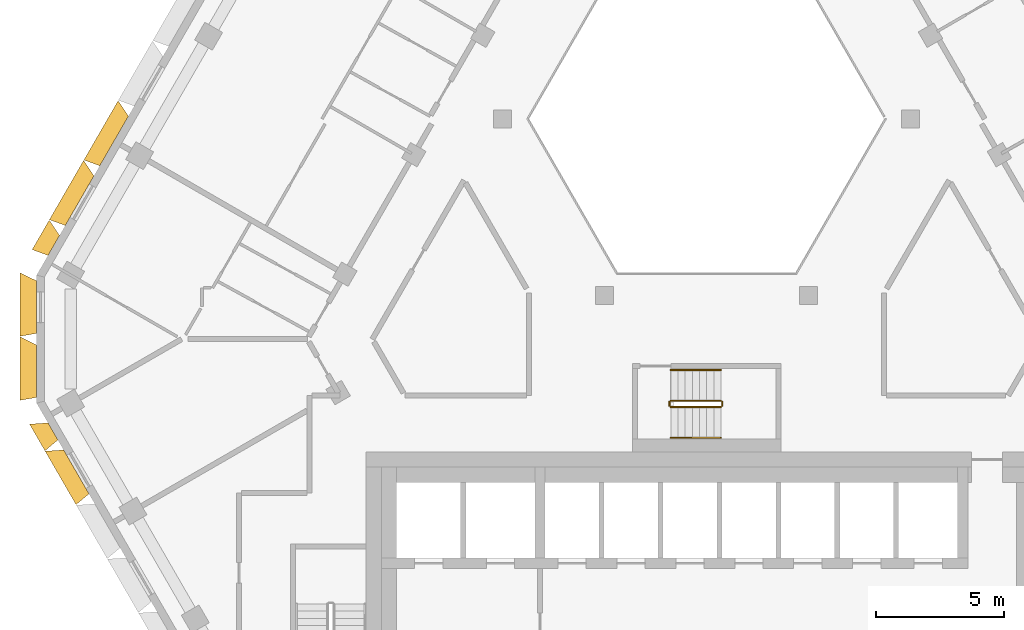
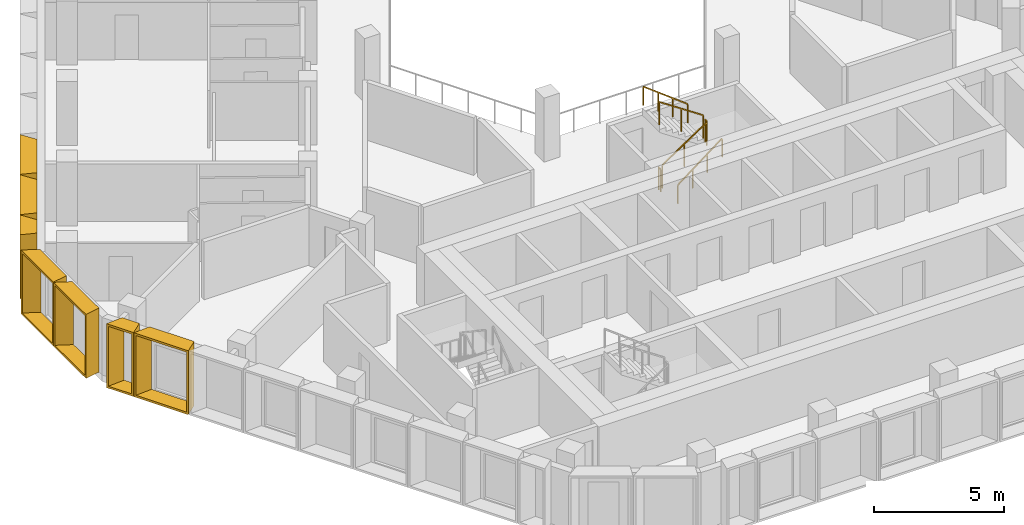
# One storey, part 11 of 14: 7 shading devices, 6 railings.
"""IFC4 building model written with IfcOpenShell, lengths in metres."""

from ifc_helpers import new_model, entity, si_unit, direction, frame, origin, origin_2d, place, context, subcontext, project, spatial, rectangle, extrude, source, transform, mapped, material, type_object, type_shapes, element, save


model = new_model("IFC4")

# Units and contexts
model_context = context("Model", 3, precision=1e-05, world=origin(), true_north=direction((0.0, 1.0)))
body_context = subcontext(model_context, "Body", "Model", "MODEL_VIEW")
ifc_project = project(units=[si_unit("LENGTHUNIT", "METRE"), si_unit("AREAUNIT", "SQUARE_METRE"), si_unit("VOLUMEUNIT", "CUBIC_METRE"), si_unit("PLANEANGLEUNIT", "RADIAN"), si_unit("MASSUNIT", "GRAM", prefix="KILO")], contexts=[model_context])

# Site, building, storey
site_placement = place(None, origin())
site = spatial("IfcSite", under=ifc_project, at=site_placement, CompositionType="ELEMENT")
building_placement = place(site_placement, origin())
building = spatial("IfcBuilding", under=site, at=building_placement, Name="Beryl Residences", CompositionType="ELEMENT")
storey_placement = place(building_placement, frame((0.0, 0.0, 181.199951171875)))
storey = spatial("IfcBuildingStorey", under=building, at=storey_placement, Name="L55", CompositionType="ELEMENT", Elevation=181.199951171875)

# Shading devices
ifc_material_1 = material(Name="Aluminium pale anodised", Category="aluminium")
shading_device_type_1 = type_object("IfcShadingDeviceType", Name="FR122-65B OUTER SKIN frame 650 mm deep, splay 26/10 deg, 1220 x 3000 mm cell", PredefinedType="USERDEFINED", material=ifc_material_1)
cartesian_point_1 = entity("IfcCartesianPoint", [-0.384033203125, 0.0])
cartesian_point_2 = entity("IfcCartesianPoint", [-0.294921875, 0.10009765625])
cartesian_point_3 = entity("IfcCartesianPoint", [-0.700927734375, 0.0])
cartesian_point_4 = entity("IfcCartesianPoint", [-0.612060546875, 0.10009765625])
shared_shape_1 = source(origin(), body_context, "Body", "SweptSolid", [
    entity("IfcExtrudedAreaSolidTapered", entity("IfcArbitraryProfileDefWithVoids", "AREA", None, entity("IfcPolyline", [cartesian_point_1, entity("IfcCartesianPoint", [0.384033203125, 0.0]), entity("IfcCartesianPoint", [0.384033203125, 3.0]), entity("IfcCartesianPoint", [-0.384033203125, 3.0]), cartesian_point_1]), [entity("IfcPolyline", [cartesian_point_2, entity("IfcCartesianPoint", [0.302734375, 0.10009765625]), entity("IfcCartesianPoint", [0.302734375, 2.89990234375]), entity("IfcCartesianPoint", [-0.294921875, 2.89990234375]), cartesian_point_2])]), entity("IfcAxis2Placement3D", entity("IfcCartesianPoint", [0.0, 0.0, 0.0]), entity("IfcDirection", [0.0, 1.0, 0.0]), entity("IfcDirection", [-1.0, 0.0, 0.0])), entity("IfcDirection", [0.0, 0.0, 1.0]), 0.64990234375, entity("IfcArbitraryProfileDefWithVoids", "AREA", None, entity("IfcPolyline", [cartesian_point_3, entity("IfcCartesianPoint", [0.49853515625, 0.0]), entity("IfcCartesianPoint", [0.49853515625, 3.0]), entity("IfcCartesianPoint", [-0.700927734375, 3.0]), cartesian_point_3]), [entity("IfcPolyline", [cartesian_point_4, entity("IfcCartesianPoint", [0.41748046875, 0.10009765625]), entity("IfcCartesianPoint", [0.41748046875, 2.89990234375]), entity("IfcCartesianPoint", [-0.612060546875, 2.89990234375]), cartesian_point_4])])),
])
type_shapes(shading_device_type_1, [shared_shape_1])
shading_device_1_placement = place(storey_placement, frame((-25.51708984375, -4.200927734375, 0.0), z_axis=(0.0, 0.0, 1.0), x_axis=(-0.5, 0.866025403784, 0.0)))
element("IfcShadingDevice", 1, at=shading_device_1_placement, inside=storey, type_object=shading_device_type_1, Name="FR122-65B frame L55 SW 1", ObjectType="OUTER SKIN", PredefinedType="USERDEFINED", context=body_context, shape_type="MappedRepresentation", body=[
    mapped(shared_shape_1, transform((0.0, 0.0, 0.0))),
])
ifc_material_2 = material(Name="Aluminium pale anodised", Category="aluminium")
shading_device_type_2 = type_object("IfcShadingDeviceType", Name="FR135-65B OUTER SKIN frame 650 mm deep, splay 26/10 deg, 1350 x 3000 mm cell", PredefinedType="USERDEFINED", material=ifc_material_2)
cartesian_point_5 = entity("IfcCartesianPoint", [-0.448974609375, 0.0])
cartesian_point_6 = entity("IfcCartesianPoint", [-0.360107421875, 0.10009765625])
cartesian_point_7 = entity("IfcCartesianPoint", [-0.76611328125, 0.0])
cartesian_point_8 = entity("IfcCartesianPoint", [-0.677001953125, 0.10009765625])
shared_shape_2 = source(origin(), body_context, "Body", "SweptSolid", [
    entity("IfcExtrudedAreaSolidTapered", entity("IfcArbitraryProfileDefWithVoids", "AREA", None, entity("IfcPolyline", [cartesian_point_5, entity("IfcCartesianPoint", [0.448974609375, 0.0]), entity("IfcCartesianPoint", [0.448974609375, 3.0]), entity("IfcCartesianPoint", [-0.448974609375, 3.0]), cartesian_point_5]), [entity("IfcPolyline", [cartesian_point_6, entity("IfcCartesianPoint", [0.36767578125, 0.10009765625]), entity("IfcCartesianPoint", [0.36767578125, 2.89990234375]), entity("IfcCartesianPoint", [-0.360107421875, 2.89990234375]), cartesian_point_6])]), entity("IfcAxis2Placement3D", entity("IfcCartesianPoint", [0.0, 0.0, 0.0]), entity("IfcDirection", [0.0, 1.0, 0.0]), entity("IfcDirection", [-1.0, 0.0, 0.0])), entity("IfcDirection", [0.0, 0.0, 1.0]), 0.64990234375, entity("IfcArbitraryProfileDefWithVoids", "AREA", None, entity("IfcPolyline", [cartesian_point_7, entity("IfcCartesianPoint", [0.563720703125, 0.0]), entity("IfcCartesianPoint", [0.563720703125, 3.0]), entity("IfcCartesianPoint", [-0.76611328125, 3.0]), cartesian_point_7]), [entity("IfcPolyline", [cartesian_point_8, entity("IfcCartesianPoint", [0.482421875, 0.10009765625]), entity("IfcCartesianPoint", [0.482421875, 2.89990234375]), entity("IfcCartesianPoint", [-0.677001953125, 2.89990234375]), cartesian_point_8])])),
])
type_shapes(shading_device_type_2, [shared_shape_2])
shading_device_2_placement = place(storey_placement, frame((-25.485107421875, 3.056884765625, 0.0), z_axis=(0.0, 0.0, 1.0), x_axis=(0.5, 0.866025403784, 0.0)))
element("IfcShadingDevice", 2, at=shading_device_2_placement, inside=storey, type_object=shading_device_type_2, Name="FR135-65B frame L55 NW 9", ObjectType="OUTER SKIN", PredefinedType="USERDEFINED", context=body_context, shape_type="MappedRepresentation", body=[
    mapped(shared_shape_2, transform((0.0, 0.0, 0.0))),
])
ifc_material_3 = material(Name="Aluminium pale anodised", Category="aluminium")
shading_device_type_3 = type_object("IfcShadingDeviceType", Name="FR243-65B OUTER SKIN frame 650 mm deep, splay 26/10 deg, 2430 x 3000 mm cell", PredefinedType="USERDEFINED", material=ifc_material_3)
cartesian_point_9 = entity("IfcCartesianPoint", [-0.989013671875, 0.0])
cartesian_point_10 = entity("IfcCartesianPoint", [-0.89990234375, 0.10009765625])
cartesian_point_11 = entity("IfcCartesianPoint", [-1.305908203125, 0.0])
cartesian_point_12 = entity("IfcCartesianPoint", [-1.217041015625, 0.10009765625])
shared_shape_3 = source(origin(), body_context, "Body", "SweptSolid", [
    entity("IfcExtrudedAreaSolidTapered", entity("IfcArbitraryProfileDefWithVoids", "AREA", None, entity("IfcPolyline", [cartesian_point_9, entity("IfcCartesianPoint", [0.989013671875, 0.0]), entity("IfcCartesianPoint", [0.989013671875, 3.0]), entity("IfcCartesianPoint", [-0.989013671875, 3.0]), cartesian_point_9]), [entity("IfcPolyline", [cartesian_point_10, entity("IfcCartesianPoint", [0.90771484375, 0.10009765625]), entity("IfcCartesianPoint", [0.90771484375, 2.89990234375]), entity("IfcCartesianPoint", [-0.89990234375, 2.89990234375]), cartesian_point_10])]), entity("IfcAxis2Placement3D", entity("IfcCartesianPoint", [0.0, 0.0, 0.0]), entity("IfcDirection", [0.0, 1.0, 0.0]), entity("IfcDirection", [-1.0, 0.0, 0.0])), entity("IfcDirection", [0.0, 0.0, 1.0]), 0.64990234375, entity("IfcArbitraryProfileDefWithVoids", "AREA", None, entity("IfcPolyline", [cartesian_point_11, entity("IfcCartesianPoint", [1.103515625, 0.0]), entity("IfcCartesianPoint", [1.103515625, 3.0]), entity("IfcCartesianPoint", [-1.305908203125, 3.0]), cartesian_point_11]), [entity("IfcPolyline", [cartesian_point_12, entity("IfcCartesianPoint", [1.0224609375, 0.10009765625]), entity("IfcCartesianPoint", [1.0224609375, 2.89990234375]), entity("IfcCartesianPoint", [-1.217041015625, 2.89990234375]), cartesian_point_12])])),
])
type_shapes(shading_device_type_3, [shared_shape_3])
shading_device_3_placement = place(storey_placement, frame((-24.60498046875, -5.781005859375, 0.0), z_axis=(0.0, 0.0, 1.0), x_axis=(-0.5, 0.866025403784, 0.0)))
element("IfcShadingDevice", 3, at=shading_device_3_placement, inside=storey, type_object=shading_device_type_3, Name="FR243-65B frame L55 SW 2", ObjectType="OUTER SKIN", PredefinedType="USERDEFINED", context=body_context, shape_type="MappedRepresentation", body=[
    mapped(shared_shape_3, transform((0.0, 0.0, 0.0))),
])
ifc_material_4 = material(Name="Aluminium pale anodised", Category="aluminium")
shading_device_type_4 = type_object("IfcShadingDeviceType", Name="FR250-65B OUTER SKIN frame 650 mm deep, splay 26/10 deg, 2500 x 3000 mm cell", PredefinedType="USERDEFINED", material=ifc_material_4)
cartesian_point_13 = entity("IfcCartesianPoint", [-1.02392578125, 0.0])
cartesian_point_14 = entity("IfcCartesianPoint", [-0.93505859375, 0.10009765625])
cartesian_point_15 = entity("IfcCartesianPoint", [-1.341064453125, 0.0])
cartesian_point_16 = entity("IfcCartesianPoint", [-1.251953125, 0.10009765625])
shared_shape_4 = source(origin(), body_context, "Body", "SweptSolid", [
    entity("IfcExtrudedAreaSolidTapered", entity("IfcArbitraryProfileDefWithVoids", "AREA", None, entity("IfcPolyline", [cartesian_point_13, entity("IfcCartesianPoint", [1.02392578125, 0.0]), entity("IfcCartesianPoint", [1.02392578125, 3.0]), entity("IfcCartesianPoint", [-1.02392578125, 3.0]), cartesian_point_13]), [entity("IfcPolyline", [cartesian_point_14, entity("IfcCartesianPoint", [0.94287109375, 0.10009765625]), entity("IfcCartesianPoint", [0.94287109375, 2.89990234375]), entity("IfcCartesianPoint", [-0.93505859375, 2.89990234375]), cartesian_point_14])]), entity("IfcAxis2Placement3D", entity("IfcCartesianPoint", [0.0, 0.0, 0.0]), entity("IfcDirection", [0.0, 1.0, 0.0]), entity("IfcDirection", [-1.0, 0.0, 0.0])), entity("IfcDirection", [0.0, 0.0, 1.0]), 0.64990234375, entity("IfcArbitraryProfileDefWithVoids", "AREA", None, entity("IfcPolyline", [cartesian_point_15, entity("IfcCartesianPoint", [1.138671875, 0.0]), entity("IfcCartesianPoint", [1.138671875, 3.0]), entity("IfcCartesianPoint", [-1.341064453125, 3.0]), cartesian_point_15]), [entity("IfcPolyline", [cartesian_point_16, entity("IfcCartesianPoint", [1.057373046875, 0.10009765625]), entity("IfcCartesianPoint", [1.057373046875, 2.89990234375]), entity("IfcCartesianPoint", [-1.251953125, 2.89990234375]), cartesian_point_16])])),
])
type_shapes(shading_device_type_4, [shared_shape_4])
for number, where, z_axis, x_axis, name in (
    (4, (-26.154052734375, 0.64990234375, 0.0), (0.0, 0.0, 1.0), (0.0, 1.0, 0.0), "FR250-65B frame L55 NW-SW 1"),
    (5, (-26.154052734375, -1.85009765625, 0.0), (0.0, 0.0, 1.0), (0.0, 1.0, 0.0), "FR250-65B frame L55 NW-SW 2"),
):
    element("IfcShadingDevice", number, at=place(storey_placement, frame(where, z_axis=z_axis, x_axis=x_axis)), inside=storey, type_object=shading_device_type_4, Name=name, ObjectType="OUTER SKIN", PredefinedType="USERDEFINED", context=body_context, shape_type="MappedRepresentation", body=[
        mapped(shared_shape_4, transform((0.0, 0.0, 0.0))),
    ])
ifc_material_5 = material(Name="Aluminium pale anodised", Category="aluminium")
shading_device_type_5 = type_object("IfcShadingDeviceType", Name="FR269-65B OUTER SKIN frame 650 mm deep, splay 26/10 deg, 2690 x 3000 mm cell", PredefinedType="USERDEFINED", material=ifc_material_5)
cartesian_point_17 = entity("IfcCartesianPoint", [-1.118896484375, 0.0])
cartesian_point_18 = entity("IfcCartesianPoint", [-1.030029296875, 0.10009765625])
cartesian_point_19 = entity("IfcCartesianPoint", [-1.43603515625, 0.0])
cartesian_point_20 = entity("IfcCartesianPoint", [-1.346923828125, 0.10009765625])
shared_shape_5 = source(origin(), body_context, "Body", "SweptSolid", [
    entity("IfcExtrudedAreaSolidTapered", entity("IfcArbitraryProfileDefWithVoids", "AREA", None, entity("IfcPolyline", [cartesian_point_17, entity("IfcCartesianPoint", [1.118896484375, 0.0]), entity("IfcCartesianPoint", [1.118896484375, 3.0]), entity("IfcCartesianPoint", [-1.118896484375, 3.0]), cartesian_point_17]), [entity("IfcPolyline", [cartesian_point_18, entity("IfcCartesianPoint", [1.037841796875, 0.10009765625]), entity("IfcCartesianPoint", [1.037841796875, 2.89990234375]), entity("IfcCartesianPoint", [-1.030029296875, 2.89990234375]), cartesian_point_18])]), entity("IfcAxis2Placement3D", entity("IfcCartesianPoint", [0.0, 0.0, 0.0]), entity("IfcDirection", [0.0, 1.0, 0.0]), entity("IfcDirection", [-1.0, 0.0, 0.0])), entity("IfcDirection", [0.0, 0.0, 1.0]), 0.64990234375, entity("IfcArbitraryProfileDefWithVoids", "AREA", None, entity("IfcPolyline", [cartesian_point_19, entity("IfcCartesianPoint", [1.233642578125, 0.0]), entity("IfcCartesianPoint", [1.233642578125, 3.0]), entity("IfcCartesianPoint", [-1.43603515625, 3.0]), cartesian_point_19]), [entity("IfcPolyline", [cartesian_point_20, entity("IfcCartesianPoint", [1.15234375, 0.10009765625]), entity("IfcCartesianPoint", [1.15234375, 2.89990234375]), entity("IfcCartesianPoint", [-1.346923828125, 2.89990234375]), cartesian_point_20])])),
])
type_shapes(shading_device_type_5, [shared_shape_5])
for number, where, z_axis, x_axis, name in (
    (6, (-23.1298828125, 7.136962890625, 0.0), (0.0, 0.0, 1.0), (0.5, 0.866025403784, 0.0), "FR269-65B frame L55 NW 7"),
    (7, (-24.47607421875, 4.805908203125, 0.0), (0.0, 0.0, 1.0), (0.5, 0.866025403784, 0.0), "FR269-65B frame L55 NW 8"),
):
    element("IfcShadingDevice", number, at=place(storey_placement, frame(where, z_axis=z_axis, x_axis=x_axis)), inside=storey, type_object=shading_device_type_5, Name=name, ObjectType="OUTER SKIN", PredefinedType="USERDEFINED", context=body_context, shape_type="MappedRepresentation", body=[
        mapped(shared_shape_5, transform((0.0, 0.0, 0.0))),
    ])

# Railings
ifc_material_6 = material(Name="Stainless steel balustrade with glass infill", Category="steel")
railing_type_1 = type_object("IfcRailingType", Name="SG1 stair guard 1100 mm", PredefinedType="GUARDRAIL", material=ifc_material_6)
railing_1_placement = place(storey_placement, frame((-1.39990234375, -3.25, 0.1875)))
element("IfcRailing", 8, at=railing_1_placement, inside=storey, type_object=railing_type_1, Name="L55 ST-4 stair guard 1", PredefinedType="GUARDRAIL", context=body_context, shape_type="SweptSolid", body=[
    extrude(rectangle(XDim=0.048095703125, YDim=0.048095703125, at=origin_2d()), frame((0.0, 0.0, 1.076171875), z_axis=(0.830902050051, 0.0, 0.556418712142), x_axis=(0.0, 1.0, 0.0)), (0.0, 0.0, 1.0), 2.35888671875),
    extrude(rectangle(XDim=0.0419921875, YDim=0.0419921875, at=origin_2d()), origin(), (0.0, 0.0, 1.0), 1.052001953125),
    extrude(rectangle(XDim=0.0419921875, YDim=0.0419921875, at=origin_2d()), frame((0.97998046875, 0.0, 0.65625)), (0.0, 0.0, 1.0), 1.052001953125),
    extrude(rectangle(XDim=0.0419921875, YDim=0.0419921875, at=origin_2d()), frame((1.9599609375, 0.0, 1.3125)), (0.0, 0.0, 1.0), 1.052001953125),
])
railing_2_placement = place(storey_placement, frame((0.610107421875, -3.199951171875, 1.5)))
element("IfcRailing", 9, at=railing_2_placement, inside=storey, type_object=railing_type_1, Name="L55 ST-4 stair guard 2", PredefinedType="GUARDRAIL", context=body_context, shape_type="SweptSolid", body=[
    extrude(rectangle(XDim=0.048095703125, YDim=0.048095703125, at=origin_2d()), frame((0.0, 0.0, 1.076171875), z_axis=(0.0, 1.0, 0.0), x_axis=(-1.0, 0.0, 0.0)), (0.0, 0.0, 1.0), 0.14990234375),
    extrude(rectangle(XDim=0.0419921875, YDim=0.0419921875, at=origin_2d()), origin(), (0.0, 0.0, 1.0), 1.052001953125),
    extrude(rectangle(XDim=0.0419921875, YDim=0.0419921875, at=origin_2d()), frame((0.0, 0.14990234375, 0.0)), (0.0, 0.0, 1.0), 1.052001953125),
])
railing_3_placement = place(storey_placement, frame((0.56005859375, -3.0, 1.6875)))
element("IfcRailing", 10, at=railing_3_placement, inside=storey, type_object=railing_type_1, Name="L55 ST-4 stair guard 3", PredefinedType="GUARDRAIL", context=body_context, shape_type="SweptSolid", body=[
    extrude(rectangle(XDim=0.048095703125, YDim=0.048095703125, at=origin_2d()), frame((0.0, 0.0, 1.076171875), z_axis=(-0.830902050051, 0.0, 0.556418712142), x_axis=(0.0, -1.0, 0.0)), (0.0, 0.0, 1.0), 2.35888671875),
    extrude(rectangle(XDim=0.0419921875, YDim=0.0419921875, at=origin_2d()), origin(), (0.0, 0.0, 1.0), 1.052001953125),
    extrude(rectangle(XDim=0.0419921875, YDim=0.0419921875, at=origin_2d()), frame((-0.97998046875, 0.0, 0.65625)), (0.0, 0.0, 1.0), 1.052001953125),
    extrude(rectangle(XDim=0.0419921875, YDim=0.0419921875, at=origin_2d()), frame((-1.9599609375, 0.0, 1.3125)), (0.0, 0.0, 1.0), 1.052001953125),
])
railing_4_placement = place(storey_placement, frame((-1.449951171875, -3.199951171875, 0.0)))
element("IfcRailing", 11, at=railing_4_placement, inside=storey, type_object=railing_type_1, Name="L55 ST-4 stair guard 4", PredefinedType="GUARDRAIL", context=body_context, shape_type="SweptSolid", body=[
    extrude(rectangle(XDim=0.048095703125, YDim=0.048095703125, at=origin_2d()), frame((0.0, 0.0, 1.076171875), z_axis=(0.0, 1.0, 0.0), x_axis=(-1.0, 0.0, 0.0)), (0.0, 0.0, 1.0), 0.14990234375),
    extrude(rectangle(XDim=0.0419921875, YDim=0.0419921875, at=origin_2d()), origin(), (0.0, 0.0, 1.0), 1.052001953125),
    extrude(rectangle(XDim=0.0419921875, YDim=0.0419921875, at=origin_2d()), frame((0.0, 0.14990234375, 0.0)), (0.0, 0.0, 1.0), 1.052001953125),
])
ifc_material_7 = material(Name="Stainless steel handrail", Category="steel")
railing_type_2 = type_object("IfcRailingType", Name="SRL1 stair handrail 900 mm", PredefinedType="HANDRAIL", material=ifc_material_7)
railing_5_placement = place(storey_placement, frame((-1.39990234375, -4.449951171875, 0.1875)))
element("IfcRailing", 12, at=railing_5_placement, inside=storey, type_object=railing_type_2, Name="L55 ST-4 stair handrail 1", PredefinedType="HANDRAIL", context=body_context, shape_type="SweptSolid", body=[
    extrude(rectangle(XDim=0.048095703125, YDim=0.048095703125, at=origin_2d()), frame((0.0, 0.0, 0.8759765625), z_axis=(0.794121922505, 0.0, 0.607758481798), x_axis=(0.0, 1.0, 0.0)), (0.0, 0.0, 1.0), 2.468017578125),
    extrude(rectangle(XDim=0.0419921875, YDim=0.0419921875, at=origin_2d()), origin(), (0.0, 0.0, 1.0), 0.851806640625),
    extrude(rectangle(XDim=0.0419921875, YDim=0.0419921875, at=origin_2d()), frame((0.6533203125, 0.0, 0.5)), (0.0, 0.0, 1.0), 0.851806640625),
    extrude(rectangle(XDim=0.0419921875, YDim=0.0419921875, at=origin_2d()), frame((1.306640625, 0.0, 1.0)), (0.0, 0.0, 1.0), 0.851806640625),
    extrude(rectangle(XDim=0.0419921875, YDim=0.0419921875, at=origin_2d()), frame((1.9599609375, 0.0, 1.5)), (0.0, 0.0, 1.0), 0.851806640625),
])
railing_6_placement = place(storey_placement, frame((0.56005859375, -1.800048828125, 1.6875)))
element("IfcRailing", 13, at=railing_6_placement, inside=storey, type_object=railing_type_2, Name="L55 ST-4 stair handrail 2", PredefinedType="HANDRAIL", context=body_context, shape_type="SweptSolid", body=[
    extrude(rectangle(XDim=0.048095703125, YDim=0.048095703125, at=origin_2d()), frame((0.0, 0.0, 0.8759765625), z_axis=(-0.794121922505, 0.0, 0.607758481798), x_axis=(0.0, -1.0, 0.0)), (0.0, 0.0, 1.0), 2.468017578125),
    extrude(rectangle(XDim=0.0419921875, YDim=0.0419921875, at=origin_2d()), origin(), (0.0, 0.0, 1.0), 0.851806640625),
    extrude(rectangle(XDim=0.0419921875, YDim=0.0419921875, at=origin_2d()), frame((-0.6533203125, 0.0, 0.5)), (0.0, 0.0, 1.0), 0.851806640625),
    extrude(rectangle(XDim=0.0419921875, YDim=0.0419921875, at=origin_2d()), frame((-1.306640625, 0.0, 1.0)), (0.0, 0.0, 1.0), 0.851806640625),
    extrude(rectangle(XDim=0.0419921875, YDim=0.0419921875, at=origin_2d()), frame((-1.9599609375, 0.0, 1.5)), (0.0, 0.0, 1.0), 0.851806640625),
])

save(model, "model.ifc")
